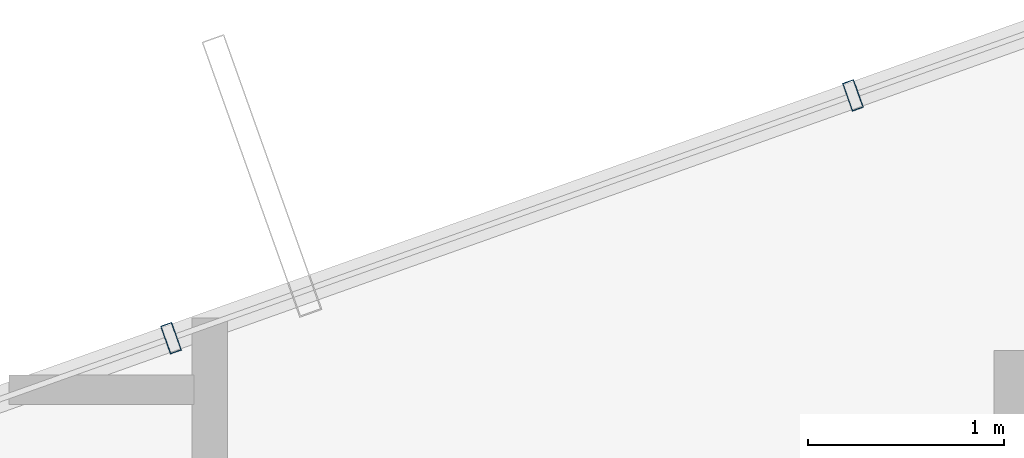
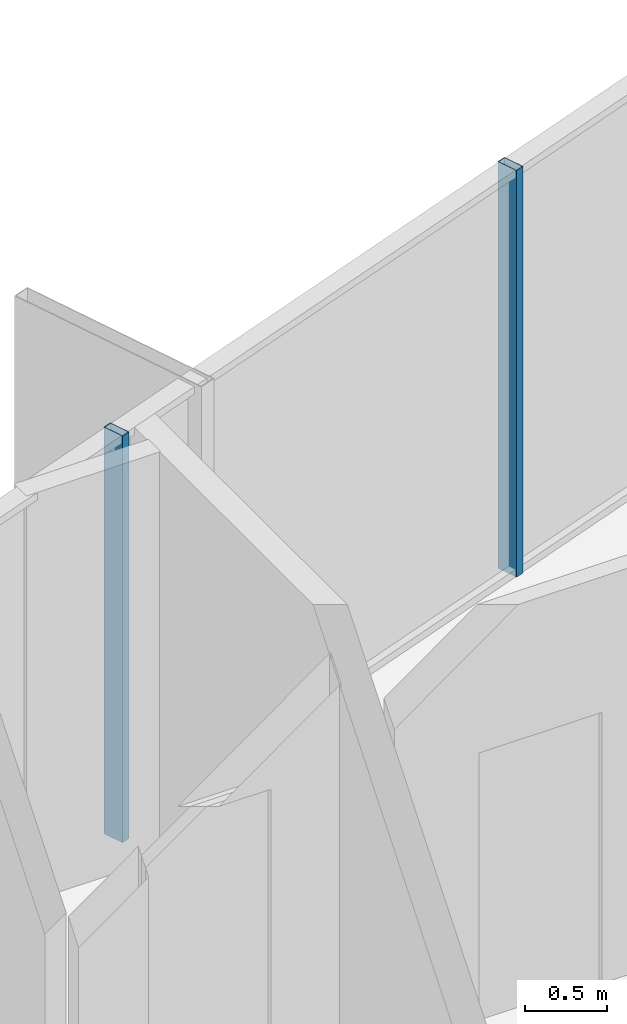
# One storey, part 21 of 29: 2 members, 1 element without a shape of its own.
"""IFC4 building model written with IfcOpenShell, lengths in metres."""

from ifc_helpers import new_model, si_unit, direction, frame, origin, origin_2d, place, context, subcontext, project, spatial, hollow_rectangle, extrude, source, transform, mapped, material, layer, layer_set, material_profile, profile_set, type_object, element, aggregate, save


model = new_model("IFC4")

# Units and contexts
model_context = context("Model", 3, precision=1e-05, world=origin(), true_north=direction((0.0, 1.0)))
body_context = subcontext(model_context, "Body", "Model", "MODEL_VIEW")
ifc_project = project(units=[si_unit("LENGTHUNIT", "METRE"), si_unit("AREAUNIT", "SQUARE_METRE"), si_unit("VOLUMEUNIT", "CUBIC_METRE"), si_unit("PLANEANGLEUNIT", "RADIAN"), si_unit("MASSUNIT", "GRAM", prefix="KILO")], contexts=[model_context])

# Site, building, storey
site_placement = place(None, origin())
site = spatial("IfcSite", under=ifc_project, at=site_placement, CompositionType="ELEMENT")
building_placement = place(site_placement, origin())
building = spatial("IfcBuilding", under=site, at=building_placement, Name="Veraguas Prism Commons", CompositionType="ELEMENT")
storey_placement = place(building_placement, frame((0.0, 0.0, 244.75)))
storey = spatial("IfcBuildingStorey", under=building, at=storey_placement, Name="L69", CompositionType="ELEMENT", Elevation=244.75)

# Curtain wall, members
ifc_material = material(Name="Anodised aluminium EN AW-6063 T6", Category="aluminium")
ifc_layer = layer(ifc_material, 0.14990234375, Name="Unitised Flush Curtain Wall Zone 4", Category="aluminium")
ifc_layer_set = layer_set([ifc_layer], Name="Anodised aluminium EN AW-6063 T6")
curtain_wall_type = type_object("IfcCurtainWallType", Name="Unitised Flush Curtain Wall Zone 4", PredefinedType="NOTDEFINED", material=ifc_layer_set)
curtain_wall_placement = place(storey_placement, origin())
curtain_wall = element("IfcCurtainWall", 1, at=curtain_wall_placement, inside=storey, type_object=curtain_wall_type, Name="Tower Facade Curtain Wall L69-F2", PredefinedType="NOTDEFINED")
ifc_material_profile = material_profile(ifc_material, hollow_rectangle(XDim=0.06005859375, YDim=0.14990234375, WallThickness=0.0029296875, at=origin_2d()), Name="AL60X150X3")
ifc_profile_set = profile_set([ifc_material_profile], Name="Anodised aluminium EN AW-6063 T6")
member_type = type_object("IfcMemberType", Name="Curtain Wall Mullion Upper AL 60x150x3", PredefinedType="MULLION", material=ifc_profile_set)
shared_shape = source(origin(), body_context, "Body", "SweptSolid", [
    extrude(hollow_rectangle(XDim=0.06005859375, YDim=0.14990234375, WallThickness=0.0029296875, at=origin_2d()), origin(), (0.0, 0.0, 1.0), 3.014892578125),
])
member_1_placement = place(storey_placement, frame((18.480224609375, 39.5009765625, 0.0), z_axis=(0.0, 0.0, 1.0), x_axis=(-0.942055696354, -0.335456502347, 0.0)))
member_1 = element("IfcMember", 2, at=member_1_placement, type_object=member_type, Name="CW-Z4 Mullion 3", PredefinedType="MULLION", context=body_context, shape_type="MappedRepresentation", body=[
    mapped(shared_shape, transform((0.0, 0.0, 0.0), scale=1.0)),
])
member_2_placement = place(storey_placement, frame((15.002685546875, 38.2626953125, 0.0), z_axis=(0.0, 0.0, 1.0), x_axis=(-0.942055696354, -0.335456502347, 0.0)))
member_2 = element("IfcMember", 3, at=member_2_placement, type_object=member_type, Name="CW-Z4 Mullion 4", PredefinedType="MULLION", context=body_context, shape_type="MappedRepresentation", body=[
    mapped(shared_shape, transform((0.0, 0.0, 0.0), scale=1.0)),
])
aggregate(curtain_wall, [member_1, member_2])

save(model, "model.ifc")
